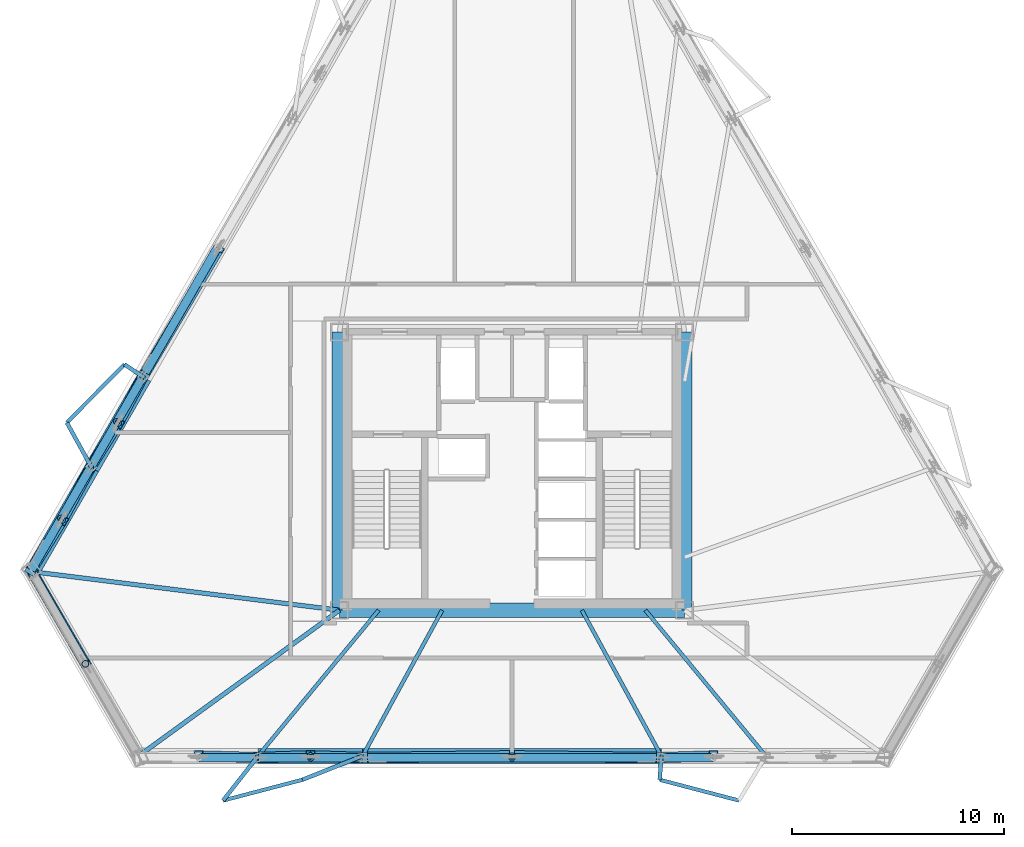
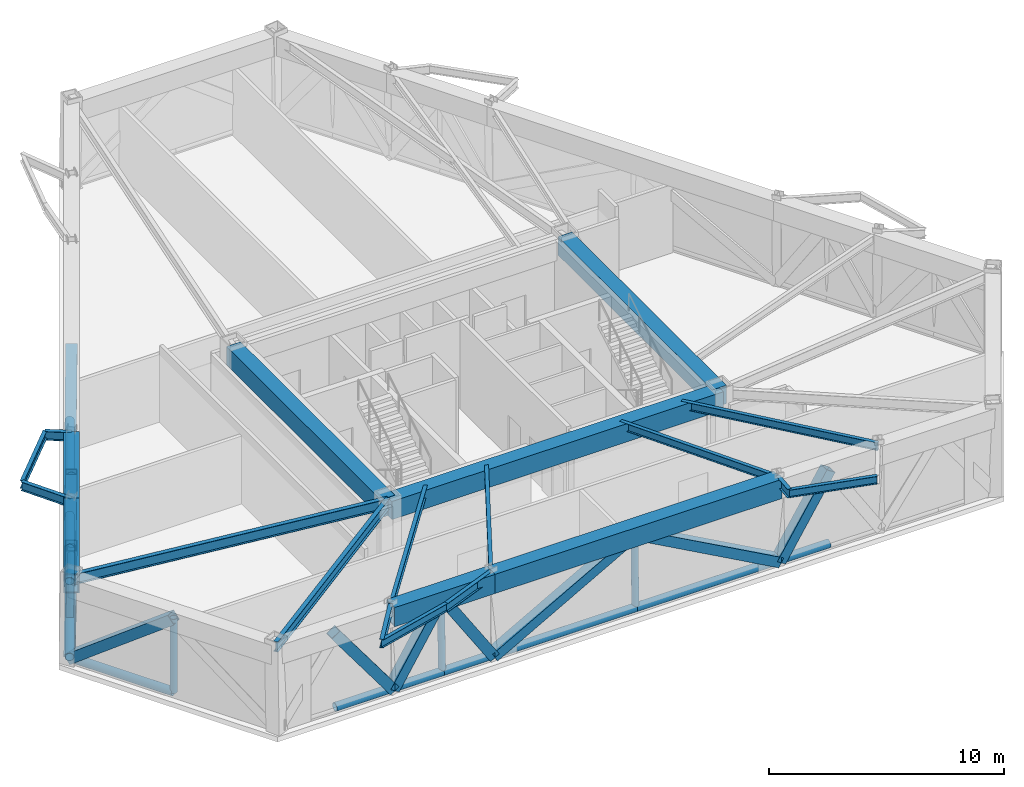
# One storey, part 2 of 11: 29 members, 21 beams.
"""IFC4 building model written with IfcOpenShell, lengths in metres."""

from ifc_helpers import new_model, si_unit, direction, frame, origin, origin_2d, place, context, subcontext, project, spatial, rectangle, hollow_rectangle, hollow_circle, i_section, extrude, material, material_profile, profile_set, type_object, element, save


model = new_model("IFC4")

# Units and contexts
model_context = context("Model", 3, precision=1e-05, world=origin(), true_north=direction((0.0, 1.0)))
body_context = subcontext(model_context, "Body", "Model", "MODEL_VIEW")
ifc_project = project(units=[si_unit("LENGTHUNIT", "METRE"), si_unit("AREAUNIT", "SQUARE_METRE"), si_unit("VOLUMEUNIT", "CUBIC_METRE"), si_unit("PLANEANGLEUNIT", "RADIAN"), si_unit("MASSUNIT", "GRAM", prefix="KILO")], contexts=[model_context])

# Site, building, storey
site_placement = place(None, origin())
site = spatial("IfcSite", under=ifc_project, at=site_placement, CompositionType="ELEMENT")
building_placement = place(site_placement, origin())
building = spatial("IfcBuilding", under=site, at=building_placement, Name="Oramaril Tower", CompositionType="ELEMENT")
storey_placement = place(building_placement, frame((0.0, 0.0, 133.800048828125)))
storey = spatial("IfcBuildingStorey", under=building, at=storey_placement, Name="L35", CompositionType="ELEMENT", Elevation=133.800048828125)

# Beams
ifc_material_1 = material(Name="Steel ASTM A572 Gr 50", Category="steel")
ifc_material_profile_1 = material_profile(ifc_material_1, i_section(OverallWidth=0.19091796875, OverallDepth=0.45703125, WebThickness=0.009033203125, FlangeThickness=0.014404296875, at=origin_2d()), Name="W18X50")
ifc_profile_set_1 = profile_set([ifc_material_profile_1], Name="Steel ASTM A572 Gr 50")
beam_type_1 = type_object("IfcBeamType", Name="BT-BB1", PredefinedType="BEAM", material=ifc_profile_set_1)
beam_1_placement = place(storey_placement, frame((25.51025390625, 4.120849609375, 4.33154296875), z_axis=(-0.617503689837, -0.786567983735, 0.0), x_axis=(0.786567983735, -0.617503689837, 0.0)))
element("IfcBeam", 1, at=beam_1_placement, inside=storey, type_object=beam_type_1, Name="L35 Balcony Column-Framed Cantilever 01.1", PredefinedType="BEAM", context=body_context, shape_type="SweptSolid", body=[
    extrude(i_section(OverallWidth=0.19091796875, OverallDepth=0.45703125, WebThickness=0.009033203125, FlangeThickness=0.014404296875, at=origin_2d()), origin(), (0.0, 0.0, 1.0), 2.68017578125),
])
beam_2_placement = place(storey_placement, frame((30.447265625, 4.120849609375, 4.33154296875), z_axis=(-0.929735565872, -0.368227888069, 0.0), x_axis=(0.368227888069, -0.929735565872, 0.0)))
element("IfcBeam", 2, at=beam_2_placement, inside=storey, type_object=beam_type_1, Name="L35 Balcony Column-Framed Cantilever 01.2", PredefinedType="BEAM", context=body_context, shape_type="SweptSolid", body=[
    extrude(i_section(OverallWidth=0.19091796875, OverallDepth=0.45703125, WebThickness=0.009033203125, FlangeThickness=0.014404296875, at=origin_2d()), origin(), (0.0, 0.0, 1.0), 3.063232421875),
])
for number, where, z_axis, x_axis, name in (
    (3, (44.552734375, 4.120849609375, 4.33154296875), (-0.068238832998, -0.997669014088, 0.0), (0.997669014088, -0.068238832998, 0.0), "L35 Balcony Column-Framed Cantilever 02.1"),
    (4, (20.135009765625, 21.981689453125, 4.33154296875), (-0.829851189081, 0.557984770384, 0.0), (-0.557984770384, -0.829851189081, 0.0), "L35 Balcony Column-Framed Cantilever 06.1"),
):
    element("IfcBeam", number, at=place(storey_placement, frame(where, z_axis=z_axis, x_axis=x_axis)), inside=storey, type_object=beam_type_1, Name=name, PredefinedType="BEAM", context=body_context, shape_type="SweptSolid", body=[
        extrude(i_section(OverallWidth=0.19091796875, OverallDepth=0.45703125, WebThickness=0.009033203125, FlangeThickness=0.014404296875, at=origin_2d()), origin(), (0.0, 0.0, 1.0), 1.130615234375),
    ])
beam_3_placement = place(storey_placement, frame((17.66650390625, 17.706298828125, 4.33154296875), z_axis=(-0.483738109502, 0.87521279779, 0.0), x_axis=(-0.87521279779, -0.483738109502, 0.0)))
element("IfcBeam", 5, at=beam_3_placement, inside=storey, type_object=beam_type_1, Name="L35 Balcony Column-Framed Cantilever 06.2", PredefinedType="BEAM", context=body_context, shape_type="SweptSolid", body=[
    extrude(i_section(OverallWidth=0.19091796875, OverallDepth=0.45703125, WebThickness=0.009033203125, FlangeThickness=0.014404296875, at=origin_2d()), origin(), (0.0, 0.0, 1.0), 2.4609375),
])
ifc_material_2 = material(Name="Steel ASTM A572 Gr 50", Category="steel")
ifc_material_profile_2 = material_profile(ifc_material_2, hollow_rectangle(XDim=0.699951171875, YDim=1.0, WallThickness=0.06494140625, at=origin_2d()), Name="BOX1000X700X65")
ifc_profile_set_2 = profile_set([ifc_material_profile_2], Name="Steel ASTM A572 Gr 50")
beam_type_2 = type_object("IfcBeamType", Name="BT-BT1", PredefinedType="BEAM", material=ifc_profile_set_2)
beam_4_placement = place(storey_placement, frame((25.51025390625, 4.120849609375, 4.06005859375), z_axis=(1.0, 0.0, 0.0), x_axis=(0.0, 1.0, 0.0)))
element("IfcBeam", 6, at=beam_4_placement, inside=storey, type_object=beam_type_2, Name="L35 Perimeter Spandrel 03", PredefinedType="BEAM", context=body_context, shape_type="SweptSolid", body=[
    extrude(hollow_rectangle(XDim=0.699951171875, YDim=1.0, WallThickness=0.06494140625, at=origin_2d()), origin(), (0.0, 0.0, 1.0), 4.93701171875),
])
beam_5_placement = place(storey_placement, frame((30.447265625, 4.120849609375, 4.06005859375), z_axis=(1.0, 0.0, 0.0), x_axis=(0.0, 1.0, 0.0)))
element("IfcBeam", 7, at=beam_5_placement, inside=storey, type_object=beam_type_2, Name="L35 Perimeter Spandrel 04", PredefinedType="BEAM", context=body_context, shape_type="SweptSolid", body=[
    extrude(hollow_rectangle(XDim=0.699951171875, YDim=1.0, WallThickness=0.06494140625, at=origin_2d()), origin(), (0.0, 0.0, 1.0), 14.10546875),
])
beam_6_placement = place(storey_placement, frame((20.135009765625, 21.981689453125, 4.06005859375), z_axis=(-0.500016396673, -0.866015936954, 0.0), x_axis=(0.866015936954, -0.500016396673, 0.0)))
element("IfcBeam", 8, at=beam_6_placement, inside=storey, type_object=beam_type_2, Name="L35 Perimeter Spandrel 17", PredefinedType="BEAM", context=body_context, shape_type="SweptSolid", body=[
    extrude(hollow_rectangle(XDim=0.699951171875, YDim=1.0, WallThickness=0.06494140625, at=origin_2d()), origin(), (0.0, 0.0, 1.0), 4.936767578125),
])
beam_7_placement = place(storey_placement, frame((17.66650390625, 17.706298828125, 4.06005859375), z_axis=(-0.499978398512, -0.86603787505, 0.0), x_axis=(0.86603787505, -0.499978398512, 0.0)))
element("IfcBeam", 9, at=beam_7_placement, inside=storey, type_object=beam_type_2, Name="L35 Perimeter Spandrel 18", PredefinedType="BEAM", context=body_context, shape_type="SweptSolid", body=[
    extrude(hollow_rectangle(XDim=0.699951171875, YDim=1.0, WallThickness=0.06494140625, at=origin_2d()), origin(), (0.0, 0.0, 1.0), 5.642333984375),
])
ifc_material_3 = material(Name="Concrete C50/60", Category="concrete")
ifc_material_profile_3 = material_profile(ifc_material_3, rectangle(XDim=0.699951171875, YDim=0.949951171875, at=origin_2d()), Name="CB700X950")
ifc_profile_set_3 = profile_set([ifc_material_profile_3], Name="Concrete C50/60")
beam_type_3 = type_object("IfcBeamType", Name="BT-CB1", PredefinedType="BEAM", material=ifc_profile_set_3)
beam_8_placement = place(storey_placement, frame((29.35009765625, 11.0, 4.0849609375), z_axis=(1.0, 0.0, 0.0), x_axis=(0.0, 1.0, 0.0)))
element("IfcBeam", 10, at=beam_8_placement, inside=storey, type_object=beam_type_3, Name="L35 Core Header Beam CB-1", PredefinedType="BEAM", context=body_context, shape_type="SweptSolid", body=[
    extrude(rectangle(XDim=0.699951171875, YDim=0.949951171875, at=origin_2d()), origin(), (0.0, 0.0, 1.0), 16.2998046875),
])
for number, where, z_axis, x_axis, name in (
    (11, (45.64990234375, 11.0, 4.0849609375), (0.0, 1.0, 0.0), (-1.0, 0.0, 0.0), "L35 Core Header Beam CB-2"),
    (12, (29.35009765625, 24.14990234375, 4.0849609375), (0.0, -1.0, 0.0), (1.0, 0.0, 0.0), "L35 Core Header Beam CB-4"),
):
    element("IfcBeam", number, at=place(storey_placement, frame(where, z_axis=z_axis, x_axis=x_axis)), inside=storey, type_object=beam_type_3, Name=name, PredefinedType="BEAM", context=body_context, shape_type="SweptSolid", body=[
        extrude(rectangle(XDim=0.699951171875, YDim=0.949951171875, at=origin_2d()), origin(), (0.0, 0.0, 1.0), 13.14990234375),
    ])
ifc_material_4 = material(Name="Steel ASTM A572 Gr 50", Category="steel")
ifc_material_profile_4 = material_profile(ifc_material_4, i_section(OverallWidth=0.2099609375, OverallDepth=0.535888671875, WebThickness=0.010986328125, FlangeThickness=0.017333984375, at=origin_2d()), Name="W21X68")
ifc_profile_set_4 = profile_set([ifc_material_profile_4], Name="Steel ASTM A572 Gr 50")
beam_type_4 = type_object("IfcBeamType", Name="BT-FB2", PredefinedType="BEAM", material=ifc_profile_set_4)
beam_9_placement = place(storey_placement, frame((29.35009765625, 11.0, 4.2919921875), z_axis=(-0.992220989453, 0.12448898782, 0.0), x_axis=(-0.12448898782, -0.992220989453, 0.0)))
element("IfcBeam", 13, at=beam_9_placement, inside=storey, type_object=beam_type_4, Name="L35 Radial Primary Beam RB-01", PredefinedType="BEAM", context=body_context, shape_type="SweptSolid", body=[
    extrude(i_section(OverallWidth=0.2099609375, OverallDepth=0.535888671875, WebThickness=0.010986328125, FlangeThickness=0.017333984375, at=origin_2d()), origin(), (0.0, 0.0, 1.0), 14.618408203125),
])
beam_10_placement = place(storey_placement, frame((29.35009765625, 11.0, 4.2919921875), z_axis=(-0.809424955656, -0.587223331588, 0.0), x_axis=(0.587223331588, -0.809424955656, 0.0)))
element("IfcBeam", 14, at=beam_10_placement, inside=storey, type_object=beam_type_4, Name="L35 Radial Primary Beam RB-02", PredefinedType="BEAM", context=body_context, shape_type="SweptSolid", body=[
    extrude(i_section(OverallWidth=0.2099609375, OverallDepth=0.535888671875, WebThickness=0.010986328125, FlangeThickness=0.017333984375, at=origin_2d()), origin(), (0.0, 0.0, 1.0), 11.714599609375),
])
ifc_material_5 = material(Name="Steel ASTM A572 Gr 50", Category="steel")
ifc_material_profile_5 = material_profile(ifc_material_5, i_section(OverallWidth=0.177978515625, OverallDepth=0.404052734375, WebThickness=0.007568359375, FlangeThickness=0.010986328125, at=origin_2d()), Name="W16X36")
ifc_profile_set_5 = profile_set([ifc_material_profile_5], Name="Steel ASTM A572 Gr 50")
beam_type_5 = type_object("IfcBeamType", Name="BT-SB1", PredefinedType="BEAM", material=ifc_profile_set_5)
beam_11_placement = place(storey_placement, frame((31.199951171875, 11.0, 4.35791015625), z_axis=(-0.637342129498, -0.770580956141, 0.0), x_axis=(0.770580956141, -0.637342129498, 0.0)))
element("IfcBeam", 15, at=beam_11_placement, inside=storey, type_object=beam_type_5, Name="L35 Secondary Floor Beam SB-01", PredefinedType="BEAM", context=body_context, shape_type="SweptSolid", body=[
    extrude(i_section(OverallWidth=0.177978515625, OverallDepth=0.404052734375, WebThickness=0.007568359375, FlangeThickness=0.010986328125, at=origin_2d()), origin(), (0.0, 0.0, 1.0), 8.92724609375),
])
for number, where, z_axis, x_axis, name in (
    (16, (34.199951171875, 11.0, 4.35791015625), (-0.478893604874, -0.877872949356, 0.0), (0.877872949356, -0.478893604874, 0.0), "L35 Secondary Floor Beam SB-02"),
    (17, (40.800048828125, 11.0, 4.35791015625), (0.478893604874, -0.877872949356, 0.0), (0.877872949356, 0.478893604874, 0.0), "L35 Secondary Floor Beam SB-03"),
):
    element("IfcBeam", number, at=place(storey_placement, frame(where, z_axis=z_axis, x_axis=x_axis)), inside=storey, type_object=beam_type_5, Name=name, PredefinedType="BEAM", context=body_context, shape_type="SweptSolid", body=[
        extrude(i_section(OverallWidth=0.177978515625, OverallDepth=0.404052734375, WebThickness=0.007568359375, FlangeThickness=0.010986328125, at=origin_2d()), origin(), (0.0, 0.0, 1.0), 7.836181640625),
    ])
beam_12_placement = place(storey_placement, frame((43.800048828125, 11.0, 4.35791015625), z_axis=(0.637342129498, -0.770580956141, 0.0), x_axis=(0.770580956141, 0.637342129498, 0.0)))
element("IfcBeam", 18, at=beam_12_placement, inside=storey, type_object=beam_type_5, Name="L35 Secondary Floor Beam SB-04", PredefinedType="BEAM", context=body_context, shape_type="SweptSolid", body=[
    extrude(i_section(OverallWidth=0.177978515625, OverallDepth=0.404052734375, WebThickness=0.007568359375, FlangeThickness=0.010986328125, at=origin_2d()), origin(), (0.0, 0.0, 1.0), 8.92724609375),
])
for number, where, z_axis, x_axis, name in (
    (19, (23.855224609375, 2.0126953125, 4.35791015625), (0.967396513976, 0.253266627779, 0.0), (-0.253266627779, 0.967396513976, 0.0), "L35 Balcony Edge Tie Beam 01"),
    (20, (44.4755859375, 2.992919921875, 4.35791015625), (0.967396513976, -0.253266627779, 0.0), (0.253266627779, 0.967396513976, 0.0), "L35 Balcony Edge Tie Beam 02"),
):
    element("IfcBeam", number, at=place(storey_placement, frame(where, z_axis=z_axis, x_axis=x_axis)), inside=storey, type_object=beam_type_5, Name=name, PredefinedType="BEAM", context=body_context, shape_type="SweptSolid", body=[
        extrude(i_section(OverallWidth=0.177978515625, OverallDepth=0.404052734375, WebThickness=0.007568359375, FlangeThickness=0.010986328125, at=origin_2d()), origin(), (0.0, 0.0, 1.0), 3.870361328125),
    ])
beam_13_placement = place(storey_placement, frame((19.19677734375, 22.612548828125, 4.35791015625), z_axis=(-0.702994511648, -0.71119527318, 0.0), x_axis=(0.71119527318, -0.702994511648, 0.0)))
element("IfcBeam", 21, at=beam_13_placement, inside=storey, type_object=beam_type_5, Name="L35 Balcony Edge Tie Beam 06", PredefinedType="BEAM", context=body_context, shape_type="SweptSolid", body=[
    extrude(i_section(OverallWidth=0.177978515625, OverallDepth=0.404052734375, WebThickness=0.007568359375, FlangeThickness=0.010986328125, at=origin_2d()), origin(), (0.0, 0.0, 1.0), 3.8701171875),
])

# Members
ifc_material_6 = material(Name="Steel ASTM A572 Gr 50", Category="steel")
ifc_material_profile_6 = material_profile(ifc_material_6, hollow_circle(Radius=0.202880859375, WallThickness=0.01611328125, at=origin_2d()), Name="CHS406X16")
ifc_profile_set_6 = profile_set([ifc_material_profile_6], Name="Steel ASTM A572 Gr 50")
member_type_1 = type_object("IfcMemberType", Name="MT-CH1", PredefinedType="CHORD", material=ifc_profile_set_6)
member_1_placement = place(storey_placement, frame((14.7939453125, 12.890380859375, 0.2099609375), z_axis=(0.500003717096, -0.866023257707, 0.0), x_axis=(0.866023257707, 0.500003717096, 0.0)))
element("IfcMember", 22, at=member_1_placement, inside=storey, type_object=member_type_1, Name="L35 Belt Truss Chord 01A", PredefinedType="CHORD", context=body_context, shape_type="SweptSolid", body=[
    extrude(hollow_circle(Radius=0.202880859375, WallThickness=0.01611328125, at=origin_2d()), origin(), (0.0, 0.0, 1.0), 5.109375),
])
member_2_placement = place(storey_placement, frame((22.71875, 4.040771484375, 0.2099609375), z_axis=(1.0, 0.0, 0.0), x_axis=(0.0, 1.0, 0.0)))
element("IfcMember", 23, at=member_2_placement, inside=storey, type_object=member_type_1, Name="L35 Belt Truss Chord 02B", PredefinedType="CHORD", context=body_context, shape_type="SweptSolid", body=[
    extrude(hollow_circle(Radius=0.202880859375, WallThickness=0.01611328125, at=origin_2d()), origin(), (0.0, 0.0, 1.0), 2.8154296875),
])
member_3_placement = place(storey_placement, frame((25.5341796875, 4.040771484375, 0.2099609375), z_axis=(1.0, 0.0, 0.0), x_axis=(0.0, 1.0, 0.0)))
element("IfcMember", 24, at=member_3_placement, inside=storey, type_object=member_type_1, Name="L35 Belt Truss Chord 03A", PredefinedType="CHORD", context=body_context, shape_type="SweptSolid", body=[
    extrude(hollow_circle(Radius=0.202880859375, WallThickness=0.01611328125, at=origin_2d()), origin(), (0.0, 0.0, 1.0), 2.463623046875),
])
member_4_placement = place(storey_placement, frame((27.997802734375, 4.040771484375, 0.2099609375), z_axis=(1.0, 0.0, 0.0), x_axis=(0.0, 1.0, 0.0)))
element("IfcMember", 25, at=member_4_placement, inside=storey, type_object=member_type_1, Name="L35 Belt Truss Chord 03B", PredefinedType="CHORD", context=body_context, shape_type="SweptSolid", body=[
    extrude(hollow_circle(Radius=0.202880859375, WallThickness=0.01611328125, at=origin_2d()), origin(), (0.0, 0.0, 1.0), 2.46337890625),
])
for number, where, z_axis, x_axis, name in (
    (26, (30.461181640625, 4.040771484375, 0.2099609375), (1.0, 0.0, 0.0), (0.0, 1.0, 0.0), "L35 Belt Truss Chord 04A"),
    (27, (37.5, 4.040771484375, 0.2099609375), (1.0, 0.0, 0.0), (0.0, 1.0, 0.0), "L35 Belt Truss Chord 04B"),
):
    element("IfcMember", number, at=place(storey_placement, frame(where, z_axis=z_axis, x_axis=x_axis)), inside=storey, type_object=member_type_1, Name=name, PredefinedType="CHORD", context=body_context, shape_type="SweptSolid", body=[
        extrude(hollow_circle(Radius=0.202880859375, WallThickness=0.01611328125, at=origin_2d()), origin(), (0.0, 0.0, 1.0), 7.038818359375),
    ])
member_5_placement = place(storey_placement, frame((44.538818359375, 4.040771484375, 0.2099609375), z_axis=(1.0, 0.0, 0.0), x_axis=(0.0, 1.0, 0.0)))
element("IfcMember", 28, at=member_5_placement, inside=storey, type_object=member_type_1, Name="L35 Belt Truss Chord 05A", PredefinedType="CHORD", context=body_context, shape_type="SweptSolid", body=[
    extrude(hollow_circle(Radius=0.202880859375, WallThickness=0.01611328125, at=origin_2d()), origin(), (0.0, 0.0, 1.0), 2.46337890625),
])
member_6_placement = place(storey_placement, frame((23.59228515625, 28.129638671875, 0.2099609375), z_axis=(-0.499992676439, -0.866029632003, 0.0), x_axis=(0.866029632003, -0.499992676439, 0.0)))
element("IfcMember", 29, at=member_6_placement, inside=storey, type_object=member_type_1, Name="L35 Belt Truss Chord 16B", PredefinedType="CHORD", context=body_context, shape_type="SweptSolid", body=[
    extrude(hollow_circle(Radius=0.202880859375, WallThickness=0.01611328125, at=origin_2d()), origin(), (0.0, 0.0, 1.0), 7.03857421875),
])
member_7_placement = place(storey_placement, frame((20.072998046875, 22.033935546875, 0.2099609375), z_axis=(-0.500039835994, -0.866002403241, 0.0), x_axis=(0.866002403241, -0.500039835994, 0.0)))
element("IfcMember", 30, at=member_7_placement, inside=storey, type_object=member_type_1, Name="L35 Belt Truss Chord 17A", PredefinedType="CHORD", context=body_context, shape_type="SweptSolid", body=[
    extrude(hollow_circle(Radius=0.202880859375, WallThickness=0.01611328125, at=origin_2d()), origin(), (0.0, 0.0, 1.0), 2.463623046875),
])
member_8_placement = place(storey_placement, frame((18.841064453125, 19.900390625, 0.2099609375), z_axis=(-0.500008425378, -0.866020539336, 0.0), x_axis=(0.866020539336, -0.500008425378, 0.0)))
element("IfcMember", 31, at=member_8_placement, inside=storey, type_object=member_type_1, Name="L35 Belt Truss Chord 17B", PredefinedType="CHORD", context=body_context, shape_type="SweptSolid", body=[
    extrude(hollow_circle(Radius=0.202880859375, WallThickness=0.01611328125, at=origin_2d()), origin(), (0.0, 0.0, 1.0), 2.46337890625),
])
member_9_placement = place(storey_placement, frame((17.609375, 17.76708984375, 0.2099609375), z_axis=(-0.49996263964, -0.866046972724, 0.0), x_axis=(0.866046972724, -0.49996263964, 0.0)))
element("IfcMember", 32, at=member_9_placement, inside=storey, type_object=member_type_1, Name="L35 Belt Truss Chord 18A", PredefinedType="CHORD", context=body_context, shape_type="SweptSolid", body=[
    extrude(hollow_circle(Radius=0.202880859375, WallThickness=0.01611328125, at=origin_2d()), origin(), (0.0, 0.0, 1.0), 2.815673828125),
])
member_10_placement = place(storey_placement, frame((16.20166015625, 15.32861328125, 0.2099609375), z_axis=(-0.500000186108, -0.866025296335, 0.0), x_axis=(0.866025296335, -0.500000186108, 0.0)))
element("IfcMember", 33, at=member_10_placement, inside=storey, type_object=member_type_1, Name="L35 Belt Truss Chord 18B", PredefinedType="CHORD", context=body_context, shape_type="SweptSolid", body=[
    extrude(hollow_circle(Radius=0.202880859375, WallThickness=0.01611328125, at=origin_2d()), origin(), (0.0, 0.0, 1.0), 2.8154296875),
])
ifc_material_7 = material(Name="Steel ASTM A572 Gr 50", Category="steel")
ifc_material_profile_7 = material_profile(ifc_material_7, hollow_circle(Radius=0.162109375, WallThickness=0.011962890625, at=origin_2d()), Name="CHS324X12")
ifc_profile_set_7 = profile_set([ifc_material_profile_7], Name="Steel ASTM A572 Gr 50")
member_type_2 = type_object("IfcMemberType", Name="MT-ST1", PredefinedType="STRUT", material=ifc_profile_set_7)
member_11_placement = place(storey_placement, frame((17.3486328125, 8.465576171875, 0.2099609375), z_axis=(0.002092574749, 0.001204815765, 0.999997084771), x_axis=(-0.498964444867, 0.866622456874, 0.0)))
element("IfcMember", 34, at=member_11_placement, inside=storey, type_object=member_type_2, Name="L35 Belt Truss Strut 01", PredefinedType="STRUT", context=body_context, shape_type="SweptSolid", body=[
    extrude(hollow_circle(Radius=0.162109375, WallThickness=0.011962890625, at=origin_2d()), origin(), (0.0, 0.0, 1.0), 3.85009765625),
])
member_12_placement = place(storey_placement, frame((27.997802734375, 4.040771484375, 0.2099609375), z_axis=(-0.004944970241, 0.020794233834, 0.999771547459), x_axis=(-0.972869827451, -0.231353190674, 0.0)))
element("IfcMember", 35, at=member_12_placement, inside=storey, type_object=member_type_2, Name="L35 Belt Truss Strut 03", PredefinedType="STRUT", context=body_context, shape_type="SweptSolid", body=[
    extrude(hollow_circle(Radius=0.162109375, WallThickness=0.011962890625, at=origin_2d()), origin(), (0.0, 0.0, 1.0), 3.85107421875),
])
member_13_placement = place(storey_placement, frame((37.5, 4.040771484375, 0.2099609375), z_axis=(0.0, 0.020794488077, 0.999783771255), x_axis=(-1.0, 0.0, 0.0)))
element("IfcMember", 36, at=member_13_placement, inside=storey, type_object=member_type_2, Name="L35 Belt Truss Strut 04", PredefinedType="STRUT", context=body_context, shape_type="SweptSolid", body=[
    extrude(hollow_circle(Radius=0.162109375, WallThickness=0.011962890625, at=origin_2d()), origin(), (0.0, 0.0, 1.0), 3.850830078125),
])
for number, where, z_axis, x_axis, name in (
    (37, (18.841064453125, 19.900390625, 0.2099609375), (0.015532287124, -0.014644727859, 0.999772114035), (0.686012868689, 0.727589406185, 0.0), "L35 Belt Truss Strut 17"),
    (38, (16.20166015625, 15.32861328125, 0.2099609375), (0.014137303856, -0.017053519001, 0.999754626961), (0.769860846937, 0.638211780175, 0.0), "L35 Belt Truss Strut 18"),
):
    element("IfcMember", number, at=place(storey_placement, frame(where, z_axis=z_axis, x_axis=x_axis)), inside=storey, type_object=member_type_2, Name=name, PredefinedType="STRUT", context=body_context, shape_type="SweptSolid", body=[
        extrude(hollow_circle(Radius=0.162109375, WallThickness=0.011962890625, at=origin_2d()), origin(), (0.0, 0.0, 1.0), 3.85107421875),
    ])
ifc_material_8 = material(Name="Steel ASTM A572 Gr 50", Category="steel")
ifc_material_profile_8 = material_profile(ifc_material_8, hollow_rectangle(XDim=0.5, YDim=0.5, WallThickness=0.02490234375, at=origin_2d()), Name="HSS500X500X25")
ifc_profile_set_8 = profile_set([ifc_material_profile_8], Name="Steel ASTM A572 Gr 50")
member_type_3 = type_object("IfcMemberType", Name="MT-TD1", PredefinedType="BRACE", material=ifc_profile_set_8)
member_14_placement = place(storey_placement, frame((14.7939453125, 12.890380859375, 0.2099609375), z_axis=(0.400581478276, -0.690914324492, 0.601807174661), x_axis=(0.865112055942, 0.501578638565, 0.0)))
element("IfcMember", 39, at=member_14_placement, inside=storey, type_object=member_type_3, Name="L35 Truss Diagonal 01A", PredefinedType="BRACE", context=body_context, shape_type="SweptSolid", body=[
    extrude(hollow_rectangle(XDim=0.5, YDim=0.5, WallThickness=0.02490234375, at=origin_2d()), origin(), (0.0, 0.0, 1.0), 6.3974609375),
])
member_15_placement = place(storey_placement, frame((25.5341796875, 4.040771484375, 0.2099609375), z_axis=(-0.594206118225, 0.016725273044, 0.804138889935), x_axis=(-0.02813611475, -0.999604101155, 0.0)))
element("IfcMember", 40, at=member_15_placement, inside=storey, type_object=member_type_3, Name="L35 Truss Diagonal 02B", PredefinedType="BRACE", context=body_context, shape_type="SweptSolid", body=[
    extrude(hollow_rectangle(XDim=0.5, YDim=0.5, WallThickness=0.02490234375, at=origin_2d()), origin(), (0.0, 0.0, 1.0), 4.787841796875),
])
member_16_placement = place(storey_placement, frame((25.5341796875, 4.040771484375, 0.2099609375), z_axis=(0.53593703317, 0.017555912002, 0.844075403285), x_axis=(-0.032739854348, 0.999463907271, 0.0)))
element("IfcMember", 41, at=member_16_placement, inside=storey, type_object=member_type_3, Name="L35 Truss Diagonal 03A", PredefinedType="BRACE", context=body_context, shape_type="SweptSolid", body=[
    extrude(hollow_rectangle(XDim=0.5, YDim=0.5, WallThickness=0.02490234375, at=origin_2d()), origin(), (0.0, 0.0, 1.0), 4.561279296875),
])
member_17_placement = place(storey_placement, frame((30.461181640625, 4.040771484375, 0.2099609375), z_axis=(-0.541811007379, 0.017477774432, 0.840318606056), x_axis=(-0.032241294011, -0.99948011434, 0.0)))
element("IfcMember", 42, at=member_17_placement, inside=storey, type_object=member_type_3, Name="L35 Truss Diagonal 03B", PredefinedType="BRACE", context=body_context, shape_type="SweptSolid", body=[
    extrude(hollow_rectangle(XDim=0.5, YDim=0.5, WallThickness=0.02490234375, at=origin_2d()), origin(), (0.0, 0.0, 1.0), 4.581787109375),
])
for number, where, z_axis, x_axis, name in (
    (43, (30.461181640625, 4.040771484375, 0.2099609375), (0.877288407655, 0.009980597194, 0.479859810229), (-0.01137590704, 0.999935292276, 0.0), "L35 Truss Diagonal 04A"),
    (44, (44.538818359375, 4.040771484375, 0.2099609375), (-0.877288407655, 0.009980597194, 0.479859810229), (-0.01137590704, -0.999935292276, 0.0), "L35 Truss Diagonal 04B"),
):
    element("IfcMember", number, at=place(storey_placement, frame(where, z_axis=z_axis, x_axis=x_axis)), inside=storey, type_object=member_type_3, Name=name, PredefinedType="BRACE", context=body_context, shape_type="SweptSolid", body=[
        extrude(hollow_rectangle(XDim=0.5, YDim=0.5, WallThickness=0.02490234375, at=origin_2d()), origin(), (0.0, 0.0, 1.0), 8.0234375),
    ])
member_18_placement = place(storey_placement, frame((44.538818359375, 4.040771484375, 0.2099609375), z_axis=(0.541811007379, 0.017477774432, 0.840318606056), x_axis=(-0.032241294011, 0.99948011434, 0.0)))
element("IfcMember", 45, at=member_18_placement, inside=storey, type_object=member_type_3, Name="L35 Truss Diagonal 05A", PredefinedType="BRACE", context=body_context, shape_type="SweptSolid", body=[
    extrude(hollow_rectangle(XDim=0.5, YDim=0.5, WallThickness=0.02490234375, at=origin_2d()), origin(), (0.0, 0.0, 1.0), 4.581787109375),
])
member_19_placement = place(storey_placement, frame((20.072998046875, 22.033935546875, 0.2099609375), z_axis=(0.44727800004, 0.754764508674, 0.479867614167), x_axis=(-0.860286463129, 0.509810946683, 0.0)))
element("IfcMember", 46, at=member_19_placement, inside=storey, type_object=member_type_3, Name="L35 Truss Diagonal 16B", PredefinedType="BRACE", context=body_context, shape_type="SweptSolid", body=[
    extrude(hollow_rectangle(XDim=0.5, YDim=0.5, WallThickness=0.02490234375, at=origin_2d()), origin(), (0.0, 0.0, 1.0), 8.023193359375),
])
member_20_placement = place(storey_placement, frame((20.072998046875, 22.033935546875, 0.2099609375), z_axis=(-0.255820258411, -0.477964531962, 0.840301077931), x_axis=(0.88165817289, -0.471888616282, 0.0)))
element("IfcMember", 47, at=member_20_placement, inside=storey, type_object=member_type_3, Name="L35 Truss Diagonal 17A", PredefinedType="BRACE", context=body_context, shape_type="SweptSolid", body=[
    extrude(hollow_rectangle(XDim=0.5, YDim=0.5, WallThickness=0.02490234375, at=origin_2d()), origin(), (0.0, 0.0, 1.0), 4.581787109375),
])
member_21_placement = place(storey_placement, frame((17.609375, 17.76708984375, 0.2099609375), z_axis=(0.283148528406, 0.455339230842, 0.844093061053), x_axis=(-0.849201847595, 0.528068387655, 0.0)))
element("IfcMember", 48, at=member_21_placement, inside=storey, type_object=member_type_3, Name="L35 Truss Diagonal 17B", PredefinedType="BRACE", context=body_context, shape_type="SweptSolid", body=[
    extrude(hollow_rectangle(XDim=0.5, YDim=0.5, WallThickness=0.02490234375, at=origin_2d()), origin(), (0.0, 0.0, 1.0), 4.561279296875),
])
member_22_placement = place(storey_placement, frame((17.609375, 17.76708984375, 0.2099609375), z_axis=(-0.282635560357, -0.523000711273, 0.804106582506), x_axis=(0.879754025105, -0.475429127538, 0.0)))
element("IfcMember", 49, at=member_22_placement, inside=storey, type_object=member_type_3, Name="L35 Truss Diagonal 18A", PredefinedType="BRACE", context=body_context, shape_type="SweptSolid", body=[
    extrude(hollow_rectangle(XDim=0.5, YDim=0.5, WallThickness=0.02490234375, at=origin_2d()), origin(), (0.0, 0.0, 1.0), 4.7880859375),
])
member_23_placement = place(storey_placement, frame((14.7939453125, 12.890380859375, 0.2099609375), z_axis=(0.307634044928, 0.499179771015, 0.810049906247), x_axis=(-0.851318256089, 0.524649622939, 0.0)))
element("IfcMember", 50, at=member_23_placement, inside=storey, type_object=member_type_3, Name="L35 Truss Diagonal 18B", PredefinedType="BRACE", context=body_context, shape_type="SweptSolid", body=[
    extrude(hollow_rectangle(XDim=0.5, YDim=0.5, WallThickness=0.02490234375, at=origin_2d()), origin(), (0.0, 0.0, 1.0), 4.7529296875),
])

save(model, "model.ifc")
